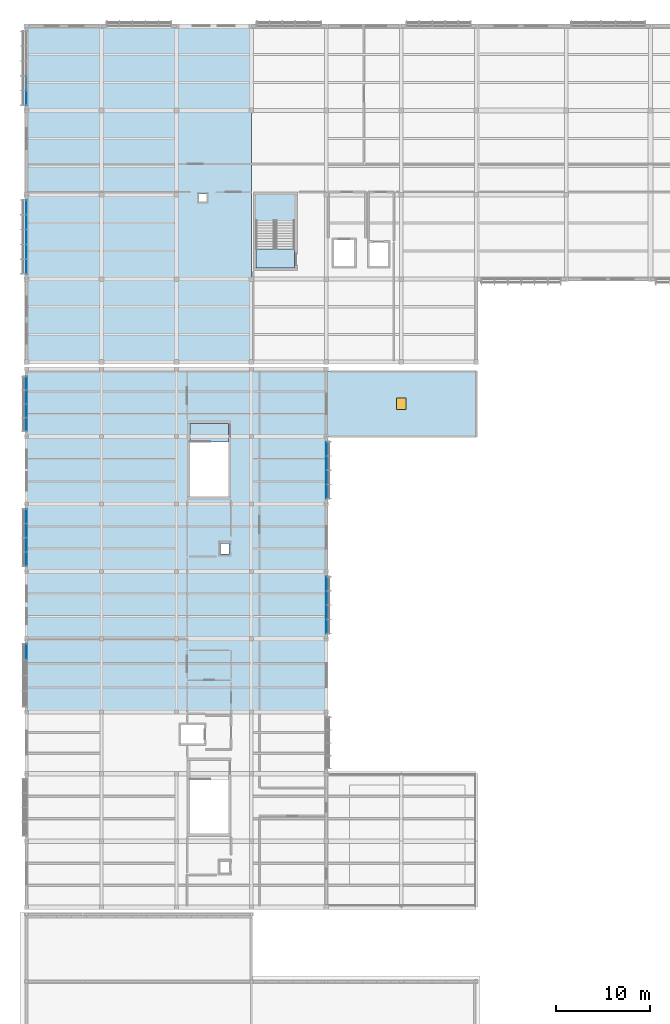
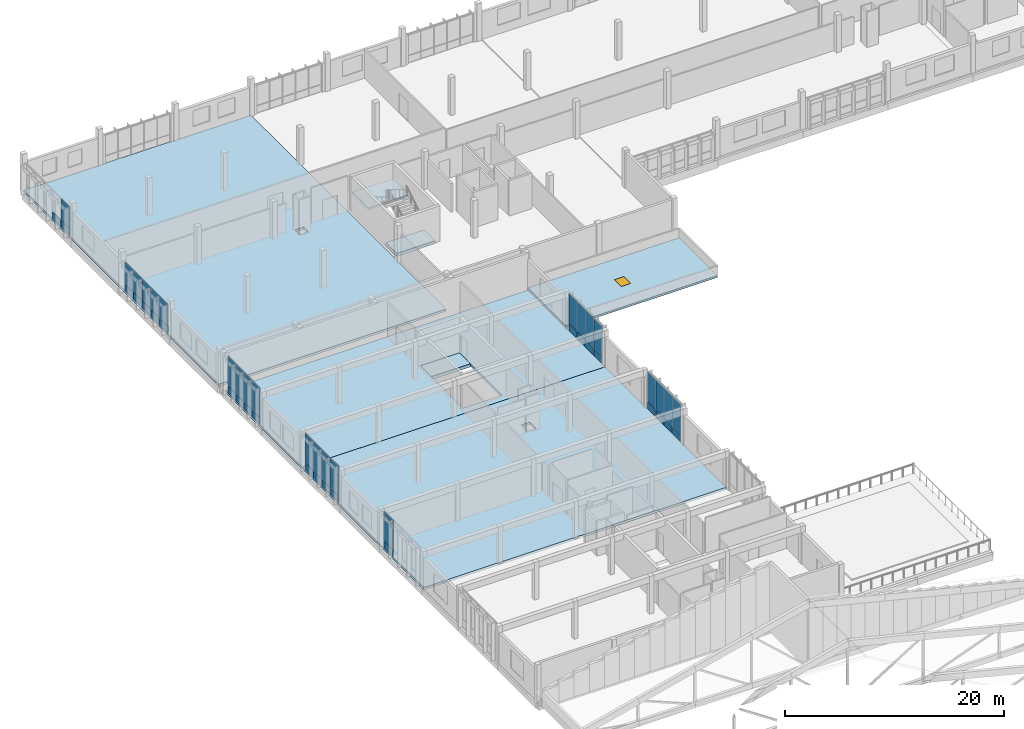
# One storey, part 80 of 107: 47 plates, 7 slabs, 1 door, 1 opening, 8 elements without a shape of their own.
"""IFC4 building model written with IfcOpenShell, lengths in metres."""

from ifc_helpers import new_model, si_unit, direction, frame, origin, origin_2d, place, context, subcontext, project, spatial, polyline, rectangle, outline, extrude, material, layer, layer_set, type_object, element, fill, aggregate, save


model = new_model("IFC4")

# Units and contexts
model_context = context("Model", 3, precision=1e-05, world=origin(), true_north=direction((0.0, 1.0)))
body_context = subcontext(model_context, "Body", "Model", "MODEL_VIEW")
ifc_project = project(units=[si_unit("LENGTHUNIT", "METRE"), si_unit("AREAUNIT", "SQUARE_METRE"), si_unit("VOLUMEUNIT", "CUBIC_METRE"), si_unit("PLANEANGLEUNIT", "RADIAN"), si_unit("MASSUNIT", "GRAM", prefix="KILO")], contexts=[model_context])

# Site, building, storey
site_placement = place(None, origin())
site = spatial("IfcSite", under=ifc_project, at=site_placement, CompositionType="ELEMENT")
building_placement = place(site_placement, origin())
building = spatial("IfcBuilding", under=site, at=building_placement, Name="Chiffa Square Polytechnic", CompositionType="ELEMENT")
storey_placement = place(building_placement, frame((0.0, 0.0, 13.800048828125)))
storey = spatial("IfcBuildingStorey", under=building, at=storey_placement, Name="L03", CompositionType="ELEMENT", Elevation=13.800048828125)

# Curtain wall, plate
ifc_material_1 = material(Name="Aluminium EN AW-6060 T66 and glulam shading", Category="wood")
curtain_wall_type_1 = type_object("IfcCurtainWallType", Name="CW-VERT-300X380", PredefinedType="USERDEFINED", material=ifc_material_1)
curtain_wall_1_placement = place(storey_placement, origin())
curtain_wall_1 = element("IfcCurtainWall", 1, at=curtain_wall_1_placement, inside=storey, type_object=curtain_wall_type_1, Name="Curtain wall CW-V6-L03-275", ObjectType="CURTAIN WALL", PredefinedType="USERDEFINED")
ifc_material_2 = material(Name="Double glazing", Category="glass")
ifc_layer_1 = layer(ifc_material_2, 0.0458984375, Name="Double glazing")
ifc_layer_set_1 = layer_set([ifc_layer_1], Name="Double glazing")
plate_type_1 = type_object("IfcPlateType", Name="CWP-GLZ-128X106", PredefinedType="CURTAIN_PANEL", material=ifc_layer_set_1)
plate_1_placement = place(storey_placement, frame((0.0, 64.009033203125, 0.83984375), z_axis=(0.0, 0.0, 1.0), x_axis=(0.0, -1.0, 0.0)))
plate_1 = element("IfcPlate", 2, at=plate_1_placement, type_object=plate_type_1, Name="Glazed curtain panel CW-V6-L03-275-PN01", PredefinedType="CURTAIN_PANEL", context=body_context, shape_type="SweptSolid", body=[
    extrude(rectangle(XDim=1.60595703125, YDim=0.0458984375, at=origin_2d()), origin(), (0.0, 0.0, 1.0), 3.31005859375),
])

# Curtain wall, plates
curtain_wall_type_2 = type_object("IfcCurtainWallType", Name="CW-VERT-450X380", PredefinedType="USERDEFINED", material=ifc_material_1)
curtain_wall_2_placement = place(storey_placement, origin())
curtain_wall_2 = element("IfcCurtainWall", 3, at=curtain_wall_2_placement, inside=storey, type_object=curtain_wall_type_2, Name="Curtain wall CW-V6-L03-274", ObjectType="CURTAIN WALL", PredefinedType="USERDEFINED")
ifc_layer_2 = layer(ifc_material_2, 0.0458984375, Name="Double glazing")
ifc_layer_set_2 = layer_set([ifc_layer_2], Name="Double glazing")
plate_type_2 = type_object("IfcPlateType", Name="CWP-GLZ-130X110", PredefinedType="CURTAIN_PANEL", material=ifc_layer_set_2)
plate_2_placement = place(storey_placement, frame((0.0, 78.48388671875, 0.83984375), z_axis=(0.0, 0.0, 1.0), x_axis=(0.0, -1.0, 0.0)))
plate_2 = element("IfcPlate", 4, at=plate_2_placement, type_object=plate_type_2, Name="Glazed curtain panel CW-V6-L03-274-PN01", PredefinedType="CURTAIN_PANEL", context=body_context, shape_type="SweptSolid", body=[
    extrude(rectangle(XDim=1.4560546875, YDim=0.0458984375, at=origin_2d()), origin(), (0.0, 0.0, 1.0), 3.31005859375),
])
plate_3_placement = place(storey_placement, frame((0.0, 76.965087890625, 0.83984375), z_axis=(0.0, 0.0, 1.0), x_axis=(0.0, -1.0, 0.0)))
plate_3 = element("IfcPlate", 5, at=plate_3_placement, type_object=plate_type_2, Name="Glazed curtain panel CW-V6-L03-274-PN02", PredefinedType="CURTAIN_PANEL", context=body_context, shape_type="SweptSolid", body=[
    extrude(rectangle(XDim=1.47802734375, YDim=0.0458984375, at=origin_2d()), origin(), (0.0, 0.0, 1.0), 3.31005859375),
])
plate_4_placement = place(storey_placement, frame((0.0, 75.43505859375, 0.83984375), z_axis=(0.0, 0.0, 1.0), x_axis=(0.0, -1.0, 0.0)))
plate_4 = element("IfcPlate", 6, at=plate_4_placement, type_object=plate_type_2, Name="Glazed curtain panel CW-V6-L03-274-PN03", PredefinedType="CURTAIN_PANEL", context=body_context, shape_type="SweptSolid", body=[
    extrude(rectangle(XDim=1.47802734375, YDim=0.0458984375, at=origin_2d()), origin(), (0.0, 0.0, 1.0), 3.31005859375),
])
plate_5_placement = place(storey_placement, frame((0.0, 73.916015625, 0.83984375), z_axis=(0.0, 0.0, 1.0), x_axis=(0.0, -1.0, 0.0)))
plate_5 = element("IfcPlate", 7, at=plate_5_placement, type_object=plate_type_2, Name="Glazed curtain panel CW-V6-L03-274-PN04", PredefinedType="CURTAIN_PANEL", context=body_context, shape_type="SweptSolid", body=[
    extrude(rectangle(XDim=1.4560546875, YDim=0.0458984375, at=origin_2d()), origin(), (0.0, 0.0, 1.0), 3.31005859375),
])

curtain_wall_type_3 = type_object("IfcCurtainWallType", Name="CW-VERT-600X440", PredefinedType="USERDEFINED", material=ifc_material_1)
curtain_wall_3_placement = place(storey_placement, origin())
curtain_wall_3 = element("IfcCurtainWall", 8, at=curtain_wall_3_placement, inside=storey, type_object=curtain_wall_type_3, Name="Curtain wall CW-V6-L03-273", ObjectType="CURTAIN WALL", PredefinedType="USERDEFINED")
ifc_layer_3 = layer(ifc_material_2, 0.0439453125, Name="Double glazing")
ifc_layer_set_3 = layer_set([ifc_layer_3], Name="Double glazing")
plate_type_3 = type_object("IfcPlateType", Name="CWP-GLZ-132X114", PredefinedType="CURTAIN_PANEL", material=ifc_layer_set_3)
plate_6_placement = place(storey_placement, frame((0.0, 92.6650390625, 0.83984375), z_axis=(0.0, 0.0, 1.0), x_axis=(0.0, -1.0, 0.0)))
plate_6 = element("IfcPlate", 9, at=plate_6_placement, type_object=plate_type_3, Name="Glazed curtain panel CW-V6-L03-273-PN01", PredefinedType="CURTAIN_PANEL", context=body_context, shape_type="SweptSolid", body=[
    extrude(rectangle(XDim=1.39306640625, YDim=0.0439453125, at=origin_2d()), origin(), (0.0, 0.0, 1.0), 3.31005859375),
])
plate_7_placement = place(storey_placement, frame((0.0, 91.208984375, 0.83984375), z_axis=(0.0, 0.0, 1.0), x_axis=(0.0, -1.0, 0.0)))
plate_7 = element("IfcPlate", 10, at=plate_7_placement, type_object=plate_type_3, Name="Glazed curtain panel CW-V6-L03-273-PN02", PredefinedType="CURTAIN_PANEL", context=body_context, shape_type="SweptSolid", body=[
    extrude(rectangle(XDim=1.4150390625, YDim=0.0439453125, at=origin_2d()), origin(), (0.0, 0.0, 1.0), 3.31005859375),
])
plate_8_placement = place(storey_placement, frame((0.0, 89.740966796875, 0.83984375), z_axis=(0.0, 0.0, 1.0), x_axis=(0.0, -1.0, 0.0)))
plate_8 = element("IfcPlate", 11, at=plate_8_placement, type_object=plate_type_3, Name="Glazed curtain panel CW-V6-L03-273-PN03", PredefinedType="CURTAIN_PANEL", context=body_context, shape_type="SweptSolid", body=[
    extrude(rectangle(XDim=1.4150390625, YDim=0.0439453125, at=origin_2d()), origin(), (0.0, 0.0, 1.0), 3.31005859375),
])
plate_9_placement = place(storey_placement, frame((0.0, 88.284912109375, 0.83984375), z_axis=(0.0, 0.0, 1.0), x_axis=(0.0, -1.0, 0.0)))
plate_9 = element("IfcPlate", 12, at=plate_9_placement, type_object=plate_type_3, Name="Glazed curtain panel CW-V6-L03-273-PN04", PredefinedType="CURTAIN_PANEL", context=body_context, shape_type="SweptSolid", body=[
    extrude(rectangle(XDim=1.39306640625, YDim=0.0439453125, at=origin_2d()), origin(), (0.0, 0.0, 1.0), 3.31005859375),
])

curtain_wall_type_4 = type_object("IfcCurtainWallType", Name="CW-VERT-450X440", PredefinedType="USERDEFINED", material=ifc_material_1)
curtain_wall_4_placement = place(storey_placement, origin())
curtain_wall_4 = element("IfcCurtainWall", 13, at=curtain_wall_4_placement, inside=storey, type_object=curtain_wall_type_4, Name="Curtain wall CW-V6-L03-272", ObjectType="CURTAIN WALL", PredefinedType="USERDEFINED")
ifc_layer_4 = layer(ifc_material_2, 0.0439453125, Name="Double glazing")
ifc_layer_set_4 = layer_set([ifc_layer_4], Name="Double glazing")
plate_type_4 = type_object("IfcPlateType", Name="CWP-GLZ-134X118", PredefinedType="CURTAIN_PANEL", material=ifc_layer_set_4)
plate_10_placement = place(storey_placement, frame((32.0, 81.115966796875, 0.83984375), z_axis=(0.0, 0.0, 1.0), x_axis=(0.0, 1.0, 0.0)))
plate_10 = element("IfcPlate", 14, at=plate_10_placement, type_object=plate_type_4, Name="Glazed curtain panel CW-V6-L03-272-PN01", PredefinedType="CURTAIN_PANEL", context=body_context, shape_type="SweptSolid", body=[
    extrude(rectangle(XDim=1.4560546875, YDim=0.0439453125, at=origin_2d()), origin(), (0.0, 0.0, 1.0), 3.31005859375),
])
plate_11_placement = place(storey_placement, frame((32.0, 82.635009765625, 0.83984375), z_axis=(0.0, 0.0, 1.0), x_axis=(0.0, 1.0, 0.0)))
plate_11 = element("IfcPlate", 15, at=plate_11_placement, type_object=plate_type_4, Name="Glazed curtain panel CW-V6-L03-272-PN02", PredefinedType="CURTAIN_PANEL", context=body_context, shape_type="SweptSolid", body=[
    extrude(rectangle(XDim=1.47802734375, YDim=0.0439453125, at=origin_2d()), origin(), (0.0, 0.0, 1.0), 3.31005859375),
])
plate_12_placement = place(storey_placement, frame((32.0, 84.1650390625, 0.83984375), z_axis=(0.0, 0.0, 1.0), x_axis=(0.0, 1.0, 0.0)))
plate_12 = element("IfcPlate", 16, at=plate_12_placement, type_object=plate_type_4, Name="Glazed curtain panel CW-V6-L03-272-PN03", PredefinedType="CURTAIN_PANEL", context=body_context, shape_type="SweptSolid", body=[
    extrude(rectangle(XDim=1.47802734375, YDim=0.0439453125, at=origin_2d()), origin(), (0.0, 0.0, 1.0), 3.31005859375),
])
plate_13_placement = place(storey_placement, frame((32.0, 85.68408203125, 0.83984375), z_axis=(0.0, 0.0, 1.0), x_axis=(0.0, 1.0, 0.0)))
plate_13 = element("IfcPlate", 17, at=plate_13_placement, type_object=plate_type_4, Name="Glazed curtain panel CW-V6-L03-272-PN04", PredefinedType="CURTAIN_PANEL", context=body_context, shape_type="SweptSolid", body=[
    extrude(rectangle(XDim=1.4560546875, YDim=0.0439453125, at=origin_2d()), origin(), (0.0, 0.0, 1.0), 3.31005859375),
])

curtain_wall_type_5 = type_object("IfcCurtainWallType", Name="CW-VERT-540X440", PredefinedType="USERDEFINED", material=ifc_material_1)
curtain_wall_5_placement = place(storey_placement, origin())
curtain_wall_5 = element("IfcCurtainWall", 18, at=curtain_wall_5_placement, inside=storey, type_object=curtain_wall_type_5, Name="Curtain wall CW-V6-L03-271", ObjectType="CURTAIN WALL", PredefinedType="USERDEFINED")
ifc_layer_5 = layer(ifc_material_2, 0.0419921875, Name="Double glazing")
ifc_layer_set_5 = layer_set([ifc_layer_5], Name="Double glazing")
plate_type_5 = type_object("IfcPlateType", Name="CWP-GLZ-136X122", PredefinedType="CURTAIN_PANEL", material=ifc_layer_set_5)
plate_14_placement = place(storey_placement, frame((32.0, 66.716064453125, 0.83984375), z_axis=(0.0, 0.0, 1.0), x_axis=(0.0, 1.0, 0.0)))
plate_14 = element("IfcPlate", 19, at=plate_14_placement, type_object=plate_type_5, Name="Glazed curtain panel CW-V6-L03-271-PN01", PredefinedType="CURTAIN_PANEL", context=body_context, shape_type="SweptSolid", body=[
    extrude(rectangle(XDim=1.4560546875, YDim=0.0419921875, at=origin_2d()), origin(), (0.0, 0.0, 1.0), 3.31005859375),
])
plate_15_placement = place(storey_placement, frame((32.0, 68.235107421875, 0.83984375), z_axis=(0.0, 0.0, 1.0), x_axis=(0.0, 1.0, 0.0)))
plate_15 = element("IfcPlate", 20, at=plate_15_placement, type_object=plate_type_5, Name="Glazed curtain panel CW-V6-L03-271-PN02", PredefinedType="CURTAIN_PANEL", context=body_context, shape_type="SweptSolid", body=[
    extrude(rectangle(XDim=1.47802734375, YDim=0.0419921875, at=origin_2d()), origin(), (0.0, 0.0, 1.0), 3.31005859375),
])
plate_16_placement = place(storey_placement, frame((32.0, 69.764892578125, 0.83984375), z_axis=(0.0, 0.0, 1.0), x_axis=(0.0, 1.0, 0.0)))
plate_16 = element("IfcPlate", 21, at=plate_16_placement, type_object=plate_type_5, Name="Glazed curtain panel CW-V6-L03-271-PN03", PredefinedType="CURTAIN_PANEL", context=body_context, shape_type="SweptSolid", body=[
    extrude(rectangle(XDim=1.47802734375, YDim=0.0419921875, at=origin_2d()), origin(), (0.0, 0.0, 1.0), 3.31005859375),
])
plate_17_placement = place(storey_placement, frame((32.0, 71.283935546875, 0.83984375), z_axis=(0.0, 0.0, 1.0), x_axis=(0.0, 1.0, 0.0)))
plate_17 = element("IfcPlate", 22, at=plate_17_placement, type_object=plate_type_5, Name="Glazed curtain panel CW-V6-L03-271-PN04", PredefinedType="CURTAIN_PANEL", context=body_context, shape_type="SweptSolid", body=[
    extrude(rectangle(XDim=1.4560546875, YDim=0.0419921875, at=origin_2d()), origin(), (0.0, 0.0, 1.0), 3.31005859375),
])

curtain_wall_6_placement = place(storey_placement, origin())
curtain_wall_6 = element("IfcCurtainWall", 23, at=curtain_wall_6_placement, inside=storey, type_object=curtain_wall_type_4, Name="Curtain wall CW-V5-L03-240", ObjectType="CURTAIN WALL", PredefinedType="USERDEFINED")
ifc_layer_6 = layer(ifc_material_2, 0.0400390625, Name="Double glazing")
ifc_layer_set_6 = layer_set([ifc_layer_6], Name="Double glazing")
plate_type_6 = type_object("IfcPlateType", Name="CWP-GLZ-144X134", PredefinedType="CURTAIN_PANEL", material=ifc_layer_set_6)
plate_18_placement = place(storey_placement, frame((0.0, 111.45703125, 0.84033203125), z_axis=(0.0, 0.0, 1.0), x_axis=(0.0, -1.0, 0.0)))
plate_18 = element("IfcPlate", 24, at=plate_18_placement, type_object=plate_type_6, Name="Glazed curtain panel CW-V5-L03-240-PN01", PredefinedType="CURTAIN_PANEL", context=body_context, shape_type="SweptSolid", body=[
    extrude(rectangle(XDim=1.510009765625, YDim=0.0400390625, at=origin_2d()), origin(), (0.0, 0.0, 1.0), 2.405029296875),
])
plate_19_placement = place(storey_placement, frame((0.0, 109.884033203125, 0.84033203125), z_axis=(0.0, 0.0, 1.0), x_axis=(0.0, -1.0, 0.0)))
plate_19 = element("IfcPlate", 25, at=plate_19_placement, type_object=plate_type_6, Name="Glazed curtain panel CW-V5-L03-240-PN02", PredefinedType="CURTAIN_PANEL", context=body_context, shape_type="SweptSolid", body=[
    extrude(rectangle(XDim=1.531982421875, YDim=0.0400390625, at=origin_2d()), origin(), (0.0, 0.0, 1.0), 2.405029296875),
])
plate_20_placement = place(storey_placement, frame((0.0, 108.300048828125, 0.84033203125), z_axis=(0.0, 0.0, 1.0), x_axis=(0.0, -1.0, 0.0)))
plate_20 = element("IfcPlate", 26, at=plate_20_placement, type_object=plate_type_6, Name="Glazed curtain panel CW-V5-L03-240-PN03", PredefinedType="CURTAIN_PANEL", context=body_context, shape_type="SweptSolid", body=[
    extrude(rectangle(XDim=1.531982421875, YDim=0.0400390625, at=origin_2d()), origin(), (0.0, 0.0, 1.0), 2.405029296875),
])
plate_21_placement = place(storey_placement, frame((0.0, 106.716064453125, 0.84033203125), z_axis=(0.0, 0.0, 1.0), x_axis=(0.0, -1.0, 0.0)))
plate_21 = element("IfcPlate", 27, at=plate_21_placement, type_object=plate_type_6, Name="Glazed curtain panel CW-V5-L03-240-PN04", PredefinedType="CURTAIN_PANEL", context=body_context, shape_type="SweptSolid", body=[
    extrude(rectangle(XDim=1.531982421875, YDim=0.0400390625, at=origin_2d()), origin(), (0.0, 0.0, 1.0), 2.405029296875),
])
plate_22_placement = place(storey_placement, frame((0.0, 105.14306640625, 0.84033203125), z_axis=(0.0, 0.0, 1.0), x_axis=(0.0, -1.0, 0.0)))
plate_22 = element("IfcPlate", 28, at=plate_22_placement, type_object=plate_type_6, Name="Glazed curtain panel CW-V5-L03-240-PN05", PredefinedType="CURTAIN_PANEL", context=body_context, shape_type="SweptSolid", body=[
    extrude(rectangle(XDim=1.510009765625, YDim=0.0400390625, at=origin_2d()), origin(), (0.0, 0.0, 1.0), 2.405029296875),
])

# Curtain wall, plate
curtain_wall_7_placement = place(storey_placement, origin())
curtain_wall_7 = element("IfcCurtainWall", 29, at=curtain_wall_7_placement, inside=storey, type_object=curtain_wall_type_5, Name="Curtain wall CW-V5-L03-239", ObjectType="CURTAIN WALL", PredefinedType="USERDEFINED")
ifc_layer_7 = layer(ifc_material_2, 0.0380859375, Name="Double glazing")
ifc_layer_set_7 = layer_set([ifc_layer_7], Name="Double glazing")
plate_type_7 = type_object("IfcPlateType", Name="CWP-GLZ-146X138", PredefinedType="CURTAIN_PANEL", material=ifc_layer_set_7)
plate_23_placement = place(storey_placement, frame((0.0, 123.14306640625, 0.84033203125), z_axis=(0.0, 0.0, 1.0), x_axis=(0.0, -1.0, 0.0)))
plate_23 = element("IfcPlate", 30, at=plate_23_placement, type_object=plate_type_7, Name="Glazed curtain panel CW-V5-L03-239-PN05", PredefinedType="CURTAIN_PANEL", context=body_context, shape_type="SweptSolid", body=[
    extrude(rectangle(XDim=1.510009765625, YDim=0.0380859375, at=origin_2d()), origin(), (0.0, 0.0, 1.0), 2.405029296875),
])

# Plate
ifc_material_3 = material(Name="Aluminium insulated spandrel", Category="aluminium")
ifc_layer_8 = layer(ifc_material_3, 0.068115234375, Name="Aluminium insulated spandrel")
ifc_layer_set_8 = layer_set([ifc_layer_8], Name="Aluminium insulated spandrel")
plate_type_8 = type_object("IfcPlateType", Name="CWP-SPN-140X076", PredefinedType="SHEET", material=ifc_layer_set_8)
plate_24_placement = place(storey_placement, frame((0.0, 64.009033203125, 0.050048828125), z_axis=(0.0, 0.0, 1.0), x_axis=(0.0, -1.0, 0.0)))
plate_24 = element("IfcPlate", 31, at=plate_24_placement, type_object=plate_type_8, Name="Spandrel panel CW-V6-L03-275-SP01", PredefinedType="SHEET", context=body_context, shape_type="SweptSolid", body=[
    extrude(rectangle(XDim=1.60595703125, YDim=0.068115234375, at=origin_2d()), origin(), (0.0, 0.0, 1.0), 0.75),
])

aggregate(curtain_wall_1, [plate_24, plate_1])

ifc_layer_9 = layer(ifc_material_3, 0.06591796875, Name="Aluminium insulated spandrel")
ifc_layer_set_9 = layer_set([ifc_layer_9], Name="Aluminium insulated spandrel")
plate_type_9 = type_object("IfcPlateType", Name="CWP-SPN-144X078", PredefinedType="SHEET", material=ifc_layer_set_9)
plate_25_placement = place(storey_placement, frame((0.0, 78.48388671875, 0.050048828125), z_axis=(0.0, 0.0, 1.0), x_axis=(0.0, -1.0, 0.0)))
plate_25 = element("IfcPlate", 32, at=plate_25_placement, type_object=plate_type_9, Name="Spandrel panel CW-V6-L03-274-SP01", PredefinedType="SHEET", context=body_context, shape_type="SweptSolid", body=[
    extrude(rectangle(XDim=1.4560546875, YDim=0.06591796875, at=origin_2d()), origin(), (0.0, 0.0, 1.0), 0.75),
])

plate_26_placement = place(storey_placement, frame((0.0, 76.965087890625, 0.050048828125), z_axis=(0.0, 0.0, 1.0), x_axis=(0.0, -1.0, 0.0)))
plate_26 = element("IfcPlate", 33, at=plate_26_placement, type_object=plate_type_9, Name="Spandrel panel CW-V6-L03-274-SP02", PredefinedType="SHEET", context=body_context, shape_type="SweptSolid", body=[
    extrude(rectangle(XDim=1.47802734375, YDim=0.06591796875, at=origin_2d()), origin(), (0.0, 0.0, 1.0), 0.75),
])

plate_27_placement = place(storey_placement, frame((0.0, 75.43505859375, 0.050048828125), z_axis=(0.0, 0.0, 1.0), x_axis=(0.0, -1.0, 0.0)))
plate_27 = element("IfcPlate", 34, at=plate_27_placement, type_object=plate_type_9, Name="Spandrel panel CW-V6-L03-274-SP03", PredefinedType="SHEET", context=body_context, shape_type="SweptSolid", body=[
    extrude(rectangle(XDim=1.47802734375, YDim=0.06591796875, at=origin_2d()), origin(), (0.0, 0.0, 1.0), 0.75),
])

plate_28_placement = place(storey_placement, frame((0.0, 73.916015625, 0.050048828125), z_axis=(0.0, 0.0, 1.0), x_axis=(0.0, -1.0, 0.0)))
plate_28 = element("IfcPlate", 35, at=plate_28_placement, type_object=plate_type_9, Name="Spandrel panel CW-V6-L03-274-SP04", PredefinedType="SHEET", context=body_context, shape_type="SweptSolid", body=[
    extrude(rectangle(XDim=1.4560546875, YDim=0.06591796875, at=origin_2d()), origin(), (0.0, 0.0, 1.0), 0.75),
])

aggregate(curtain_wall_2, [plate_25, plate_2, plate_26, plate_3, plate_27, plate_4, plate_28, plate_5])

ifc_layer_10 = layer(ifc_material_3, 0.06396484375, Name="Aluminium insulated spandrel")
ifc_layer_set_10 = layer_set([ifc_layer_10], Name="Aluminium insulated spandrel")
plate_type_10 = type_object("IfcPlateType", Name="CWP-SPN-146X082", PredefinedType="SHEET", material=ifc_layer_set_10)
plate_29_placement = place(storey_placement, frame((0.0, 92.6650390625, 0.050048828125), z_axis=(0.0, 0.0, 1.0), x_axis=(0.0, -1.0, 0.0)))
plate_29 = element("IfcPlate", 36, at=plate_29_placement, type_object=plate_type_10, Name="Spandrel panel CW-V6-L03-273-SP01", PredefinedType="SHEET", context=body_context, shape_type="SweptSolid", body=[
    extrude(rectangle(XDim=1.39306640625, YDim=0.06396484375, at=origin_2d()), origin(), (0.0, 0.0, 1.0), 0.75),
])

plate_30_placement = place(storey_placement, frame((0.0, 91.208984375, 0.050048828125), z_axis=(0.0, 0.0, 1.0), x_axis=(0.0, -1.0, 0.0)))
plate_30 = element("IfcPlate", 37, at=plate_30_placement, type_object=plate_type_10, Name="Spandrel panel CW-V6-L03-273-SP02", PredefinedType="SHEET", context=body_context, shape_type="SweptSolid", body=[
    extrude(rectangle(XDim=1.4150390625, YDim=0.06396484375, at=origin_2d()), origin(), (0.0, 0.0, 1.0), 0.75),
])

plate_31_placement = place(storey_placement, frame((0.0, 89.740966796875, 0.050048828125), z_axis=(0.0, 0.0, 1.0), x_axis=(0.0, -1.0, 0.0)))
plate_31 = element("IfcPlate", 38, at=plate_31_placement, type_object=plate_type_10, Name="Spandrel panel CW-V6-L03-273-SP03", PredefinedType="SHEET", context=body_context, shape_type="SweptSolid", body=[
    extrude(rectangle(XDim=1.4150390625, YDim=0.06396484375, at=origin_2d()), origin(), (0.0, 0.0, 1.0), 0.75),
])

plate_32_placement = place(storey_placement, frame((0.0, 88.284912109375, 0.050048828125), z_axis=(0.0, 0.0, 1.0), x_axis=(0.0, -1.0, 0.0)))
plate_32 = element("IfcPlate", 39, at=plate_32_placement, type_object=plate_type_10, Name="Spandrel panel CW-V6-L03-273-SP04", PredefinedType="SHEET", context=body_context, shape_type="SweptSolid", body=[
    extrude(rectangle(XDim=1.39306640625, YDim=0.06396484375, at=origin_2d()), origin(), (0.0, 0.0, 1.0), 0.75),
])

aggregate(curtain_wall_3, [plate_29, plate_6, plate_30, plate_7, plate_31, plate_8, plate_32, plate_9])

ifc_layer_11 = layer(ifc_material_3, 0.06201171875, Name="Aluminium insulated spandrel")
ifc_layer_set_11 = layer_set([ifc_layer_11], Name="Aluminium insulated spandrel")
plate_type_11 = type_object("IfcPlateType", Name="CWP-SPN-148X084", PredefinedType="SHEET", material=ifc_layer_set_11)
plate_33_placement = place(storey_placement, frame((0.0, 111.45703125, 0.050048828125), z_axis=(0.0, 0.0, 1.0), x_axis=(0.0, -1.0, 0.0)))
plate_33 = element("IfcPlate", 40, at=plate_33_placement, type_object=plate_type_11, Name="Spandrel panel CW-V5-L03-240-SP01", PredefinedType="SHEET", context=body_context, shape_type="SweptSolid", body=[
    extrude(rectangle(XDim=1.510009765625, YDim=0.06201171875, at=origin_2d()), origin(), (0.0, 0.0, 1.0), 0.75),
])

plate_34_placement = place(storey_placement, frame((0.0, 109.884033203125, 0.050048828125), z_axis=(0.0, 0.0, 1.0), x_axis=(0.0, -1.0, 0.0)))
plate_34 = element("IfcPlate", 41, at=plate_34_placement, type_object=plate_type_11, Name="Spandrel panel CW-V5-L03-240-SP02", PredefinedType="SHEET", context=body_context, shape_type="SweptSolid", body=[
    extrude(rectangle(XDim=1.531982421875, YDim=0.06201171875, at=origin_2d()), origin(), (0.0, 0.0, 1.0), 0.75),
])

plate_35_placement = place(storey_placement, frame((0.0, 108.300048828125, 0.050048828125), z_axis=(0.0, 0.0, 1.0), x_axis=(0.0, -1.0, 0.0)))
plate_35 = element("IfcPlate", 42, at=plate_35_placement, type_object=plate_type_11, Name="Spandrel panel CW-V5-L03-240-SP03", PredefinedType="SHEET", context=body_context, shape_type="SweptSolid", body=[
    extrude(rectangle(XDim=1.531982421875, YDim=0.06201171875, at=origin_2d()), origin(), (0.0, 0.0, 1.0), 0.75),
])

plate_36_placement = place(storey_placement, frame((0.0, 106.716064453125, 0.050048828125), z_axis=(0.0, 0.0, 1.0), x_axis=(0.0, -1.0, 0.0)))
plate_36 = element("IfcPlate", 43, at=plate_36_placement, type_object=plate_type_11, Name="Spandrel panel CW-V5-L03-240-SP04", PredefinedType="SHEET", context=body_context, shape_type="SweptSolid", body=[
    extrude(rectangle(XDim=1.531982421875, YDim=0.06201171875, at=origin_2d()), origin(), (0.0, 0.0, 1.0), 0.75),
])

plate_37_placement = place(storey_placement, frame((0.0, 105.14306640625, 0.050048828125), z_axis=(0.0, 0.0, 1.0), x_axis=(0.0, -1.0, 0.0)))
plate_37 = element("IfcPlate", 44, at=plate_37_placement, type_object=plate_type_11, Name="Spandrel panel CW-V5-L03-240-SP05", PredefinedType="SHEET", context=body_context, shape_type="SweptSolid", body=[
    extrude(rectangle(XDim=1.510009765625, YDim=0.06201171875, at=origin_2d()), origin(), (0.0, 0.0, 1.0), 0.75),
])

aggregate(curtain_wall_6, [plate_33, plate_18, plate_34, plate_19, plate_35, plate_20, plate_36, plate_21, plate_37, plate_22])

plate_38_placement = place(storey_placement, frame((32.0, 81.115966796875, 0.050048828125), z_axis=(0.0, 0.0, 1.0), x_axis=(0.0, 1.0, 0.0)))
plate_38 = element("IfcPlate", 45, at=plate_38_placement, type_object=plate_type_11, Name="Spandrel panel CW-V6-L03-272-SP01", PredefinedType="SHEET", context=body_context, shape_type="SweptSolid", body=[
    extrude(rectangle(XDim=1.4560546875, YDim=0.06201171875, at=origin_2d()), origin(), (0.0, 0.0, 1.0), 0.75),
])

plate_39_placement = place(storey_placement, frame((32.0, 82.635009765625, 0.050048828125), z_axis=(0.0, 0.0, 1.0), x_axis=(0.0, 1.0, 0.0)))
plate_39 = element("IfcPlate", 46, at=plate_39_placement, type_object=plate_type_11, Name="Spandrel panel CW-V6-L03-272-SP02", PredefinedType="SHEET", context=body_context, shape_type="SweptSolid", body=[
    extrude(rectangle(XDim=1.47802734375, YDim=0.06201171875, at=origin_2d()), origin(), (0.0, 0.0, 1.0), 0.75),
])

plate_40_placement = place(storey_placement, frame((32.0, 84.1650390625, 0.050048828125), z_axis=(0.0, 0.0, 1.0), x_axis=(0.0, 1.0, 0.0)))
plate_40 = element("IfcPlate", 47, at=plate_40_placement, type_object=plate_type_11, Name="Spandrel panel CW-V6-L03-272-SP03", PredefinedType="SHEET", context=body_context, shape_type="SweptSolid", body=[
    extrude(rectangle(XDim=1.47802734375, YDim=0.06201171875, at=origin_2d()), origin(), (0.0, 0.0, 1.0), 0.75),
])

plate_41_placement = place(storey_placement, frame((32.0, 85.68408203125, 0.050048828125), z_axis=(0.0, 0.0, 1.0), x_axis=(0.0, 1.0, 0.0)))
plate_41 = element("IfcPlate", 48, at=plate_41_placement, type_object=plate_type_11, Name="Spandrel panel CW-V6-L03-272-SP04", PredefinedType="SHEET", context=body_context, shape_type="SweptSolid", body=[
    extrude(rectangle(XDim=1.4560546875, YDim=0.06201171875, at=origin_2d()), origin(), (0.0, 0.0, 1.0), 0.75),
])

aggregate(curtain_wall_4, [plate_38, plate_10, plate_39, plate_11, plate_40, plate_12, plate_41, plate_13])

ifc_layer_12 = layer(ifc_material_3, 0.06005859375, Name="Aluminium insulated spandrel")
ifc_layer_set_12 = layer_set([ifc_layer_12], Name="Aluminium insulated spandrel")
plate_type_12 = type_object("IfcPlateType", Name="CWP-SPN-150X080", PredefinedType="SHEET", material=ifc_layer_set_12)
plate_42_placement = place(storey_placement, frame((0.0, 124.716064453125, 0.050048828125), z_axis=(0.0, 0.0, 1.0), x_axis=(0.0, -1.0, 0.0)))
plate_42 = element("IfcPlate", 49, at=plate_42_placement, type_object=plate_type_12, Name="Spandrel panel CW-V5-L03-239-SP04", PredefinedType="SHEET", context=body_context, shape_type="SweptSolid", body=[
    extrude(rectangle(XDim=1.531982421875, YDim=0.06005859375, at=origin_2d()), origin(), (0.0, 0.0, 1.0), 0.75),
])

plate_43_placement = place(storey_placement, frame((0.0, 123.14306640625, 0.050048828125), z_axis=(0.0, 0.0, 1.0), x_axis=(0.0, -1.0, 0.0)))
plate_43 = element("IfcPlate", 50, at=plate_43_placement, type_object=plate_type_12, Name="Spandrel panel CW-V5-L03-239-SP05", PredefinedType="SHEET", context=body_context, shape_type="SweptSolid", body=[
    extrude(rectangle(XDim=1.510009765625, YDim=0.06005859375, at=origin_2d()), origin(), (0.0, 0.0, 1.0), 0.75),
])

aggregate(curtain_wall_7, [plate_42, plate_43, plate_23])

plate_44_placement = place(storey_placement, frame((32.0, 66.716064453125, 0.050048828125), z_axis=(0.0, 0.0, 1.0), x_axis=(0.0, 1.0, 0.0)))
plate_44 = element("IfcPlate", 51, at=plate_44_placement, type_object=plate_type_12, Name="Spandrel panel CW-V6-L03-271-SP01", PredefinedType="SHEET", context=body_context, shape_type="SweptSolid", body=[
    extrude(rectangle(XDim=1.4560546875, YDim=0.06005859375, at=origin_2d()), origin(), (0.0, 0.0, 1.0), 0.75),
])

plate_45_placement = place(storey_placement, frame((32.0, 68.235107421875, 0.050048828125), z_axis=(0.0, 0.0, 1.0), x_axis=(0.0, 1.0, 0.0)))
plate_45 = element("IfcPlate", 52, at=plate_45_placement, type_object=plate_type_12, Name="Spandrel panel CW-V6-L03-271-SP02", PredefinedType="SHEET", context=body_context, shape_type="SweptSolid", body=[
    extrude(rectangle(XDim=1.47802734375, YDim=0.06005859375, at=origin_2d()), origin(), (0.0, 0.0, 1.0), 0.75),
])

plate_46_placement = place(storey_placement, frame((32.0, 69.764892578125, 0.050048828125), z_axis=(0.0, 0.0, 1.0), x_axis=(0.0, 1.0, 0.0)))
plate_46 = element("IfcPlate", 53, at=plate_46_placement, type_object=plate_type_12, Name="Spandrel panel CW-V6-L03-271-SP03", PredefinedType="SHEET", context=body_context, shape_type="SweptSolid", body=[
    extrude(rectangle(XDim=1.47802734375, YDim=0.06005859375, at=origin_2d()), origin(), (0.0, 0.0, 1.0), 0.75),
])

plate_47_placement = place(storey_placement, frame((32.0, 71.283935546875, 0.050048828125), z_axis=(0.0, 0.0, 1.0), x_axis=(0.0, 1.0, 0.0)))
plate_47 = element("IfcPlate", 54, at=plate_47_placement, type_object=plate_type_12, Name="Spandrel panel CW-V6-L03-271-SP04", PredefinedType="SHEET", context=body_context, shape_type="SweptSolid", body=[
    extrude(rectangle(XDim=1.4560546875, YDim=0.06005859375, at=origin_2d()), origin(), (0.0, 0.0, 1.0), 0.75),
])

aggregate(curtain_wall_5, [plate_44, plate_14, plate_45, plate_15, plate_46, plate_16, plate_47, plate_17])

# Slabs
ifc_material_4 = material(Name="Concrete C35/45", Category="concrete")
ifc_layer_13 = layer(ifc_material_4, 0.260009765625, Name="Concrete C35/45")
ifc_layer_set_13 = layer_set([ifc_layer_13], Name="Concrete C35/45")
slab_type_1 = type_object("IfcSlabType", Name="SLB-FLR-260", PredefinedType="FLOOR", material=ifc_layer_set_13)
slab_1_placement = place(storey_placement, frame((0.0, 0.0, -0.260009765625)))
element("IfcSlab", 55, at=slab_1_placement, inside=storey, type_object=slab_type_1, Name="V5 L03 structural slab SLB-V5-L03-038", PredefinedType="FLOOR", context=body_context, shape_type="SweptSolid", body=[
    extrude(outline(polyline([(0.0, 95.050048828125), (0.0, 130.800048828125), (24.0, 130.800048828125), (24.0, 95.050048828125), (0.0, 95.050048828125)]), holes=[polyline([(18.35009765625, 112.89990234375), (19.25, 112.89990234375), (19.25, 112.050048828125), (18.35009765625, 112.050048828125), (18.35009765625, 112.89990234375)])]), origin(), (0.0, 0.0, 1.0), 0.260009765625),
])
slab_2_placement = place(storey_placement, frame((0.0, 0.0, -0.260009765625)))
element("IfcSlab", 56, at=slab_2_placement, inside=storey, type_object=slab_type_1, Name="V6 L03 structural slab SLB-V6-L03-057", PredefinedType="FLOOR", context=body_context, shape_type="SweptSolid", body=[
    extrude(outline(polyline([(32.0, 57.60009765625), (0.0, 57.60009765625), (0.0, 79.800048828125), (32.0, 79.800048828125), (32.0, 57.60009765625)]), holes=[polyline([(20.679931640625, 75.60009765625), (21.6201171875, 75.60009765625), (21.6201171875, 74.449951171875), (20.679931640625, 74.449951171875), (20.679931640625, 75.60009765625)])]), origin(), (0.0, 0.0, 1.0), 0.260009765625),
])
slab_3_placement = place(storey_placement, frame((0.0, 0.0, -0.260009765625)))
element("IfcSlab", 57, at=slab_3_placement, inside=storey, type_object=slab_type_1, Name="V6 L03 structural slab SLB-V6-L03-058", PredefinedType="FLOOR", context=body_context, shape_type="SweptSolid", body=[
    extrude(outline(polyline([(0.0, 93.949951171875), (32.0, 93.949951171875), (32.0, 79.800048828125), (0.0, 79.800048828125), (0.0, 93.949951171875)]), holes=[polyline([(21.550048828125, 88.39990234375), (21.550048828125, 80.60009765625), (17.449951171875, 80.60009765625), (17.449951171875, 88.39990234375), (21.550048828125, 88.39990234375)])]), origin(), (0.0, 0.0, 1.0), 0.260009765625),
])
ifc_material_5 = material(Name="Concrete C40/50", Category="concrete")
ifc_layer_14 = layer(ifc_material_5, 0.35009765625, Name="Concrete C40/50")
ifc_layer_set_14 = layer_set([ifc_layer_14], Name="Concrete C40/50")
slab_type_2 = type_object("IfcSlabType", Name="SLB-FLR-350", PredefinedType="FLOOR", material=ifc_layer_set_14)
slab_4_placement = place(storey_placement, frame((0.0, 0.0, -0.35009765625)))
element("IfcSlab", 58, at=slab_4_placement, inside=storey, type_object=slab_type_2, Name="Stair core floor landing slab SLB-CORE-CORE-V5A-L03", PredefinedType="FLOOR", context=body_context, shape_type="SweptSolid", body=[
    extrude(outline(polyline([(28.60009765625, 105.0), (28.60009765625, 107.011962890625), (24.5, 107.011962890625), (24.5, 105.0), (28.60009765625, 105.0)])), origin(), (0.0, 0.0, 1.0), 0.35009765625),
])
slab_5_placement = place(storey_placement, frame((0.0, 0.0, -0.35009765625)))
element("IfcSlab", 59, at=slab_5_placement, inside=storey, type_object=slab_type_2, Name="Stair core floor landing slab SLB-CORE-CORE-V6B-L03", PredefinedType="FLOOR", context=body_context, shape_type="SweptSolid", body=[
    extrude(outline(polyline([(17.449951171875, 88.39990234375), (17.449951171875, 86.387939453125), (21.550048828125, 86.387939453125), (21.550048828125, 88.39990234375), (17.449951171875, 88.39990234375)])), origin(), (0.0, 0.0, 1.0), 0.35009765625),
])

# Stair, slab
stair_type = type_object("IfcStairType", Name="STAIR-DOG-1950", PredefinedType="HALF_TURN_STAIR", material=ifc_material_4)
stair_placement = place(storey_placement, origin())
stair = element("IfcStair", 60, at=stair_placement, inside=storey, type_object=stair_type, Name="L03 Enclosed exit stair ST-V5A", PredefinedType="HALF_TURN_STAIR")
ifc_layer_15 = layer(ifc_material_4, 0.199951171875, Name="Concrete C35/45")
ifc_layer_set_15 = layer_set([ifc_layer_15], Name="Concrete C35/45")
slab_type_3 = type_object("IfcSlabType", Name="SLB-LND-200", PredefinedType="LANDING", material=ifc_layer_set_15)
slab_6_placement = place(storey_placement, frame((0.0, 0.0, 1.89990234375)))
slab_6 = element("IfcSlab", 61, at=slab_6_placement, type_object=slab_type_3, Name="ST-V5A landing 1", PredefinedType="LANDING", context=body_context, shape_type="SweptSolid", body=[
    extrude(outline(polyline([(28.719970703125, 109.9599609375), (24.3798828125, 109.9599609375), (24.3798828125, 112.919921875), (28.719970703125, 112.919921875), (28.719970703125, 109.9599609375)])), origin(), (0.0, 0.0, 1.0), 0.199951171875),
])
aggregate(stair, [slab_6])

# Slab, opening, door
ifc_layer_16 = layer(ifc_material_4, 0.22998046875, Name="Concrete C35/45")
ifc_layer_set_16 = layer_set([ifc_layer_16], Name="Concrete C35/45")
slab_type_4 = type_object("IfcSlabType", Name="SLB-ROOF-230", PredefinedType="ROOF", material=ifc_layer_set_16)
slab_7_placement = place(storey_placement, origin())
slab_7 = element("IfcSlab", 62, at=slab_7_placement, inside=storey, type_object=slab_type_4, Name="Studio north wing lower roof SLB-ROOF-V6-LOW2", PredefinedType="ROOF", context=body_context, shape_type="SweptSolid", body=[
    extrude(outline(polyline([(32.0, 87.0), (48.0, 87.0), (48.0, 94.0), (32.0, 94.0), (32.0, 87.0)]), holes=[polyline([(39.5, 89.875), (40.5, 89.875), (40.5, 91.125), (39.5, 91.125), (39.5, 89.875)])]), origin(), (0.0, 0.0, 1.0), 0.22998046875),
])
opening_placement = place(slab_7_placement, frame((40.0, 90.5, 0.0)))
opening = element("IfcOpeningElement", 63, at=opening_placement, cuts=slab_7, Name="Opening RH-06", PredefinedType="OPENING", context=body_context, shape_type="SweptSolid", body=[
    extrude(rectangle(XDim=1.0, YDim=1.25, at=origin_2d()), frame((0.0, 0.0, -0.010009765625), z_axis=(0.0, 0.0, 1.0), x_axis=(1.0, 0.0, 0.0)), (0.0, 0.0, 1.0), 0.25),
])
ifc_material_6 = material(Name="Insulated aluminium roof hatch", Category="aluminium")
door_type = type_object("IfcDoorType", Name="DR-HATCH-1000X1250", OperationType="NOTDEFINED", PredefinedType="TRAPDOOR", material=ifc_material_6)
door_placement = place(opening_placement, frame((0.0, 0.0, 0.179931640625)))
door = element("IfcDoor", 64, at=door_placement, inside=storey, type_object=door_type, Name="Maintenance roof hatch RH-06", OperationType="SINGLE_SWING_RIGHT", OverallHeight=1.25, OverallWidth=1.0, PredefinedType="TRAPDOOR", context=body_context, shape_type="SweptSolid", body=[
    extrude(rectangle(XDim=1.0, YDim=1.25, at=origin_2d()), origin(), (0.0, 0.0, 1.0), 0.050048828125),
])
fill(opening, door)

save(model, "model.ifc")
